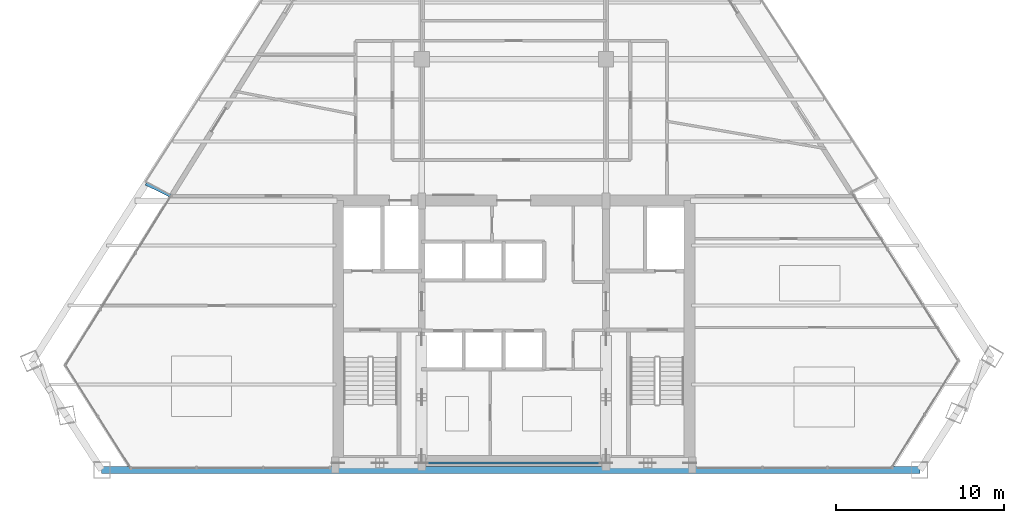
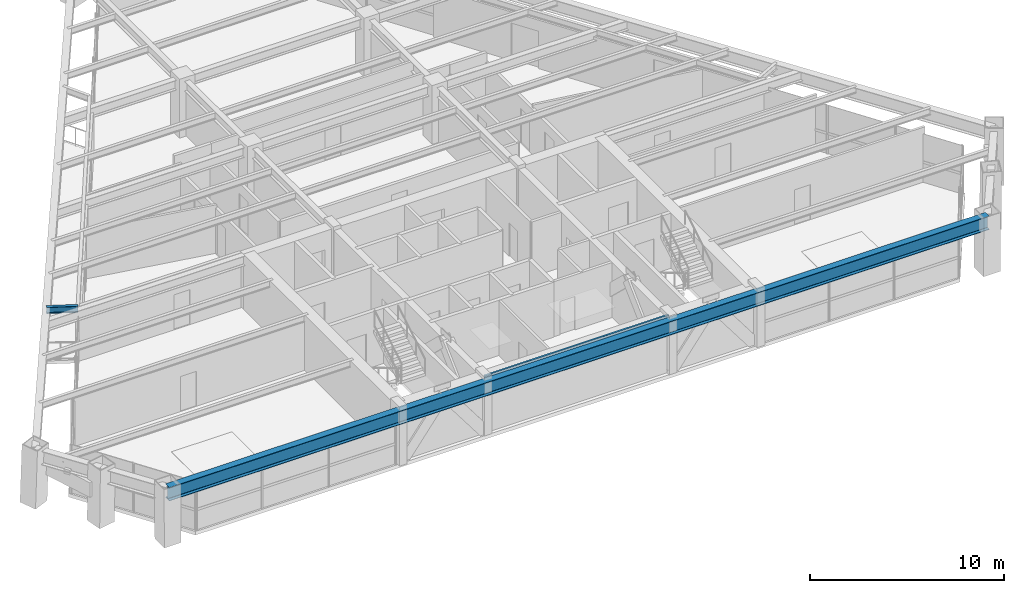
# One storey, part 3 of 15: 3 beams.
"""IFC4 building model written with IfcOpenShell, lengths in metres."""

from ifc_helpers import new_model, si_unit, direction, frame, origin, origin_2d, place, context, subcontext, project, spatial, i_section, extrude, source, transform, mapped, material, material_profile, profile_set, type_object, type_shapes, element, save


model = new_model("IFC4")

# Units and contexts
model_context = context("Model", 3, precision=1e-05, world=origin(), true_north=direction((0.0, 1.0)))
body_context = subcontext(model_context, "Body", "Model", "MODEL_VIEW")
ifc_project = project(units=[si_unit("LENGTHUNIT", "METRE"), si_unit("AREAUNIT", "SQUARE_METRE"), si_unit("VOLUMEUNIT", "CUBIC_METRE"), si_unit("PLANEANGLEUNIT", "RADIAN"), si_unit("MASSUNIT", "GRAM", prefix="KILO")], contexts=[model_context])

# Site, building, storey
site_placement = place(None, origin())
site = spatial("IfcSite", under=ifc_project, at=site_placement, CompositionType="ELEMENT")
building_placement = place(site_placement, origin())
building = spatial("IfcBuilding", under=site, at=building_placement, Name="Varnakhor Terracotta Tower", CompositionType="ELEMENT")
storey_placement = place(building_placement, frame((0.0, 0.0, 182.10009765625)))
storey = spatial("IfcBuildingStorey", under=building, at=storey_placement, Name="L46", CompositionType="ELEMENT", Elevation=182.10009765625)

# Beams
ifc_material = material(Name="Steel S355", Category="steel")
ifc_material_profile_1 = material_profile(ifc_material, i_section(OverallWidth=0.1201171875, OverallDepth=0.239990234375, WebThickness=0.006103515625, FlangeThickness=0.009765625, FilletRadius=0.01806640625, at=origin_2d()), Name="IPE240")
ifc_profile_set_1 = profile_set([ifc_material_profile_1], Name="Steel S355")
beam_type_1 = type_object("IfcBeamType", Name="LNT-IPE240", PredefinedType="LINTEL", material=ifc_profile_set_1)
shared_shape_1 = source(origin(), body_context, "Body", "SweptSolid", [
    extrude(i_section(OverallWidth=0.1201171875, OverallDepth=0.239990234375, WebThickness=0.006103515625, FlangeThickness=0.009765625, FilletRadius=0.01806640625, at=origin_2d()), origin(), (0.0, 0.0, 1.0), 11.0),
])
type_shapes(beam_type_1, [shared_shape_1])
beam_1_placement = place(storey_placement, frame((-5.5, 0.419921875, 3.349853515625), z_axis=(1.0, 0.0, 0.0), x_axis=(0.0, 1.0, 0.0)))
element("IfcBeam", 1, at=beam_1_placement, inside=storey, type_object=beam_type_1, Name="L46 Core South Coupling Lintel", PredefinedType="LINTEL", context=body_context, shape_type="MappedRepresentation", body=[
    mapped(shared_shape_1, transform((0.0, 0.0, 0.0), scale=1.0)),
])
ifc_material_profile_2 = material_profile(ifc_material, i_section(OverallWidth=0.39990234375, OverallDepth=0.85498046875, WebThickness=0.01806640625, FlangeThickness=0.029052734375, FilletRadius=0.01806640625, at=origin_2d()), Name="W33X201")
ifc_profile_set_2 = profile_set([ifc_material_profile_2], Name="Steel S355")
beam_type_2 = type_object("IfcBeamType", Name="BM-W33X201", PredefinedType="BEAM", material=ifc_profile_set_2)
shared_shape_2 = source(origin(), body_context, "Body", "SweptSolid", [
    extrude(i_section(OverallWidth=0.39990234375, OverallDepth=0.85498046875, WebThickness=0.01806640625, FlangeThickness=0.029052734375, FilletRadius=0.01806640625, at=origin_2d()), origin(), (0.0, 0.0, 1.0), 48.833251953125),
])
beam_2_placement = place(storey_placement, frame((-24.595458984375, 0.0, 3.04248046875), z_axis=(1.0, 0.0, 0.0), x_axis=(0.0, 1.0, 0.0)))
element("IfcBeam", 2, at=beam_2_placement, inside=storey, type_object=beam_type_2, Name="L46 Perimeter Spandrel 1", PredefinedType="BEAM", context=body_context, shape_type="MappedRepresentation", body=[
    mapped(shared_shape_2, transform((0.0, 0.0, 0.0), scale=1.0)),
])
ifc_material_profile_3 = material_profile(ifc_material, i_section(OverallWidth=0.179931640625, OverallDepth=0.39990234375, WebThickness=0.008544921875, FlangeThickness=0.013427734375, FilletRadius=0.01806640625, at=origin_2d()), Name="IPE400")
ifc_profile_set_3 = profile_set([ifc_material_profile_3], Name="Steel S355")
beam_type_3 = type_object("IfcBeamType", Name="JST-IPE400", PredefinedType="JOIST", material=ifc_profile_set_3)
shared_shape_3 = source(origin(), body_context, "Body", "SweptSolid", [
    extrude(i_section(OverallWidth=0.179931640625, OverallDepth=0.39990234375, WebThickness=0.008544921875, FlangeThickness=0.013427734375, FilletRadius=0.01806640625, at=origin_2d()), origin(), (0.0, 0.0, 1.0), 1.631103515625),
])
beam_3_placement = place(storey_placement, frame((-20.491943359375, 16.35986328125, 3.27001953125), z_axis=(-0.897371344244, 0.441276183959, 0.0), x_axis=(-0.441276183959, -0.897371344244, 0.0)))
element("IfcBeam", 3, at=beam_3_placement, inside=storey, type_object=beam_type_3, Name="L47 W Loggia Tie Beam 1", PredefinedType="JOIST", context=body_context, shape_type="MappedRepresentation", body=[
    mapped(shared_shape_3, transform((0.0, 0.0, 0.0), scale=1.0)),
])

save(model, "model.ifc")
